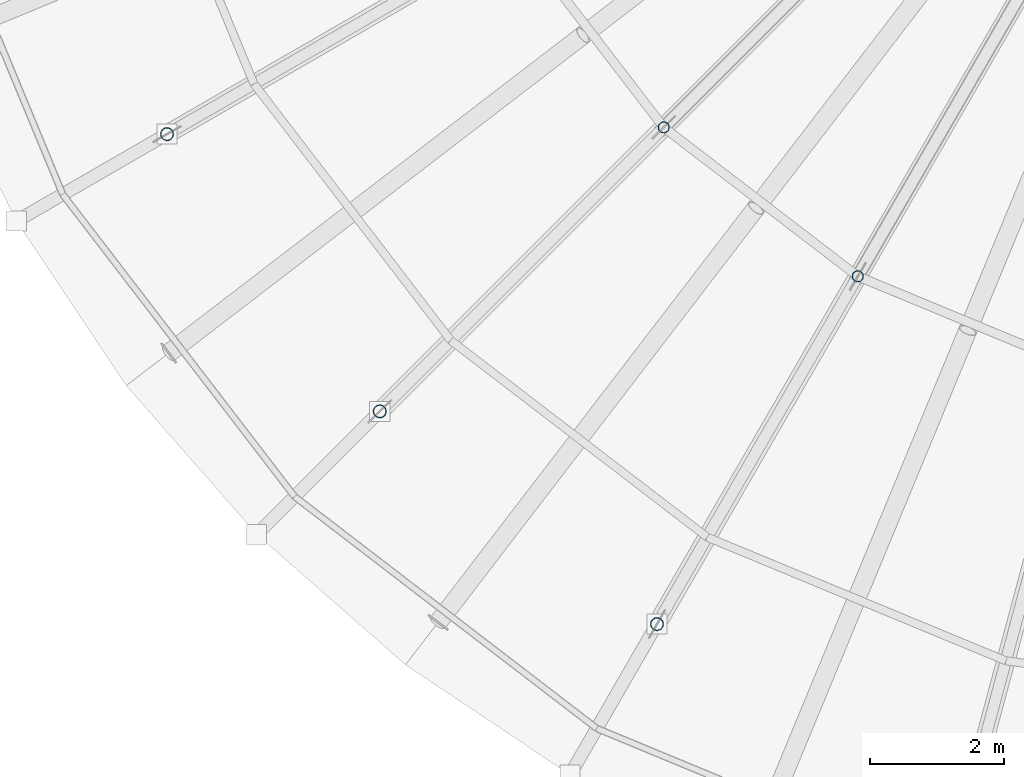
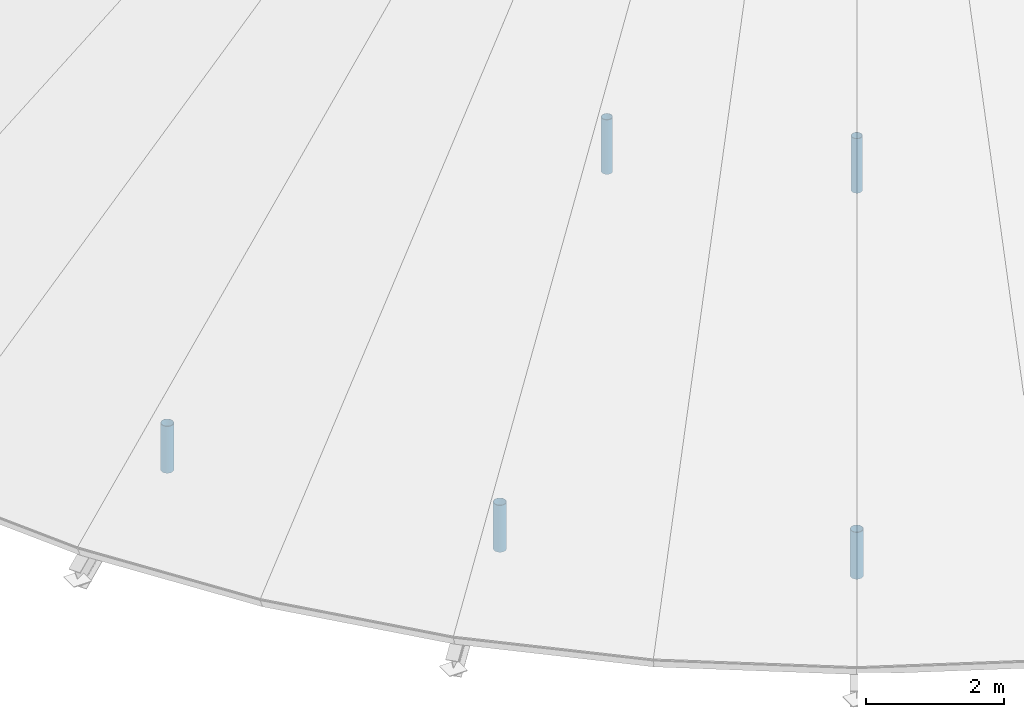
# One storey, part 69 of 107: 5 members.
"""IFC4 building model written with IfcOpenShell, lengths in metres."""

from ifc_helpers import new_model, si_unit, derived_unit, direction, frame, origin, origin_2d, place, context, subcontext, project, spatial, hollow_circle, extrude, material, material_profile, profile_set, type_object, element, save


model = new_model("IFC4")

# Units and contexts
model_context = context("Model", 3, precision=1e-05, world=origin(), true_north=direction((0.0, 1.0)))
body_context = subcontext(model_context, "Body", "Model", "MODEL_VIEW")
ifc_project = project(units=[si_unit("LENGTHUNIT", "METRE"), si_unit("AREAUNIT", "SQUARE_METRE"), si_unit("VOLUMEUNIT", "CUBIC_METRE"), si_unit("PLANEANGLEUNIT", "RADIAN"), si_unit("MASSUNIT", "GRAM", prefix="KILO"), si_unit("THERMODYNAMICTEMPERATUREUNIT", "KELVIN"), si_unit("TIMEUNIT", "SECOND"), derived_unit("THERMALTRANSMITTANCEUNIT", [(si_unit("MASSUNIT", "GRAM", prefix="KILO"), 1), (si_unit("THERMODYNAMICTEMPERATUREUNIT", "KELVIN"), -1), (si_unit("TIMEUNIT", "SECOND"), -3)])], contexts=[model_context])

# Site, building, storey
site_placement = place(None, origin())
site = spatial("IfcSite", under=ifc_project, at=site_placement, CompositionType="ELEMENT")
building_placement = place(site_placement, origin())
building = spatial("IfcBuilding", under=site, at=building_placement, Name="Cambertide Market Hall", CompositionType="ELEMENT")
storey_placement = place(building_placement, frame((0.0, 0.0, 18.300048828125)))
storey = spatial("IfcBuildingStorey", under=building, at=storey_placement, Name="RF", CompositionType="ELEMENT", Elevation=18.300048828125)

# Members
ifc_material_1 = material(Name="Steel S355", Category="steel")
ifc_material_profile_1 = material_profile(ifc_material_1, hollow_circle(Radius=0.084228515625, WallThickness=0.00634765625, at=origin_2d()), Name="CHS 168.3x6.3")
ifc_profile_set_1 = profile_set([ifc_material_profile_1], Name="Steel S355")
member_type_1 = type_object("IfcMemberType", Name="Structural Brace CHS 168.3x6.3", PredefinedType="BRACE", material=ifc_profile_set_1)
for number, where, z_axis, x_axis, name in (
    (1, (32.1005859375, 62.1005859375, -7.756103515625), (0.0, 0.0, 1.0), (1.0, 0.0, 0.0), "RWV-W-18-V2"),
    (2, (35.0, 59.875732421875, -7.756103515625), (0.0, 0.0, 1.0), (1.0, 0.0, 0.0), "RWV-W-20-V2"),
):
    element("IfcMember", number, at=place(storey_placement, frame(where, z_axis=z_axis, x_axis=x_axis)), inside=storey, type_object=member_type_1, Name=name, PredefinedType="BRACE", context=body_context, shape_type="SweptSolid", body=[
        extrude(hollow_circle(Radius=0.084228515625, WallThickness=0.00634765625, at=origin_2d()), origin(), (0.0, 0.0, 1.0), 0.966064453125),
    ])
ifc_material_2 = material(Name="Steel S355", Category="steel")
ifc_material_profile_2 = material_profile(ifc_material_2, hollow_circle(Radius=0.096923828125, WallThickness=0.00634765625, at=origin_2d()), Name="CHS 193.7x6.3")
ifc_profile_set_2 = profile_set([ifc_material_profile_2], Name="Steel S355")
member_type_2 = type_object("IfcMemberType", Name="Structural Brace CHS 193.7x6.3", PredefinedType="BRACE", material=ifc_profile_set_2)
for number, where, z_axis, x_axis, name in (
    (3, (24.679443359375, 62.0, -10.380126953125), (0.0, 0.0, 1.0), (1.0, 0.0, 0.0), "RWV-W-16-V3"),
    (4, (27.85791015625, 57.85791015625, -10.380126953125), (0.0, 0.0, 1.0), (1.0, 0.0, 0.0), "RWV-W-18-V3"),
    (5, (32.0, 54.679443359375, -10.380126953125), (0.0, 0.0, 1.0), (1.0, 0.0, 0.0), "RWV-W-20-V3"),
):
    element("IfcMember", number, at=place(storey_placement, frame(where, z_axis=z_axis, x_axis=x_axis)), inside=storey, type_object=member_type_2, Name=name, PredefinedType="BRACE", context=body_context, shape_type="SweptSolid", body=[
        extrude(hollow_circle(Radius=0.096923828125, WallThickness=0.00634765625, at=origin_2d()), origin(), (0.0, 0.0, 1.0), 0.830078125),
    ])

save(model, "model.ifc")
